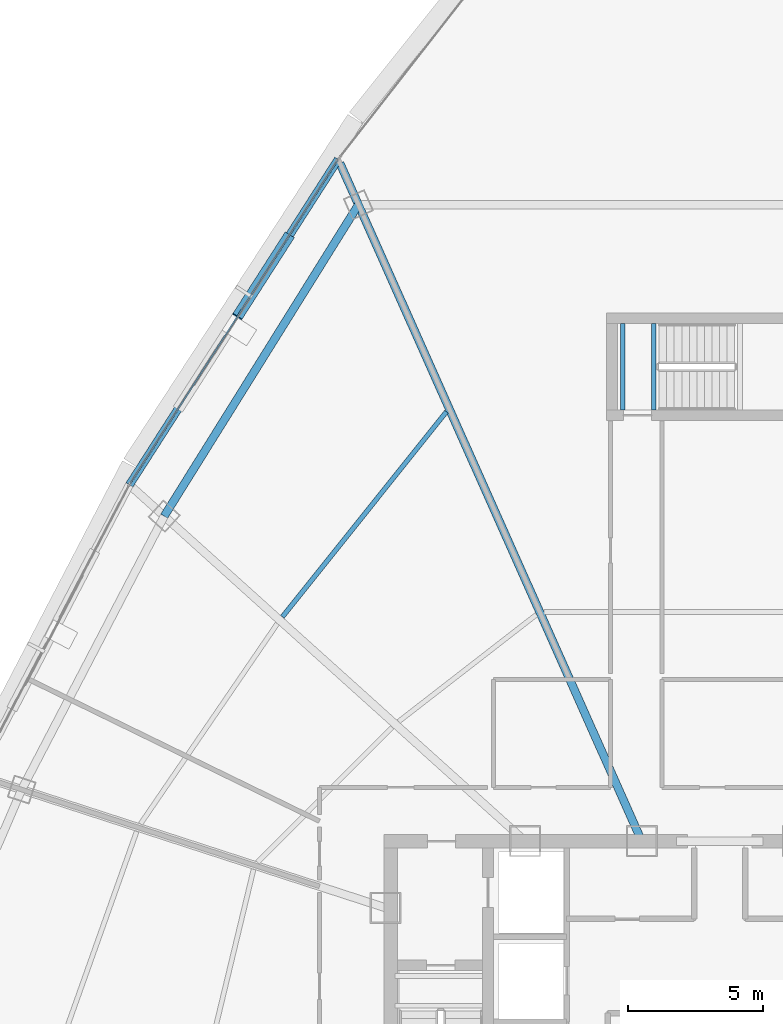
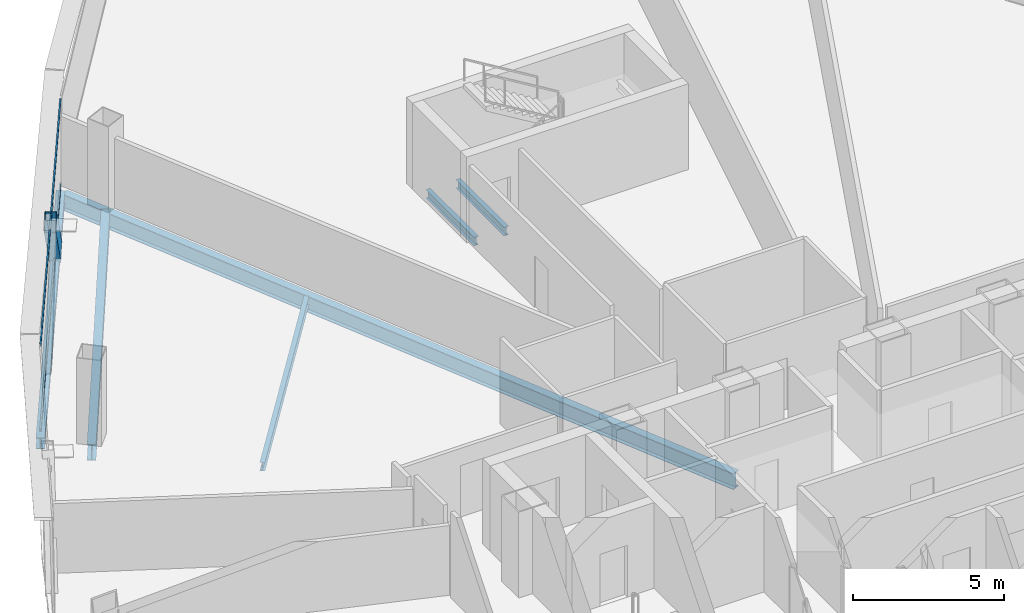
# One storey, part 18 of 37: 6 beams, 3 members, 1 element without a shape of its own.
"""IFC4 building model written with IfcOpenShell, lengths in metres."""

from ifc_helpers import new_model, si_unit, direction, frame, origin, origin_2d, place, context, subcontext, project, spatial, hollow_rectangle, i_section, extrude, source, transform, mapped, material, layer, layer_set, material_profile, profile_set, type_object, element, aggregate, save


model = new_model("IFC4")

# Units and contexts
model_context = context("Model", 3, precision=1e-05, world=origin(), true_north=direction((0.0, 1.0)))
body_context = subcontext(model_context, "Body", "Model", "MODEL_VIEW")
ifc_project = project(units=[si_unit("LENGTHUNIT", "METRE"), si_unit("AREAUNIT", "SQUARE_METRE"), si_unit("VOLUMEUNIT", "CUBIC_METRE"), si_unit("PLANEANGLEUNIT", "RADIAN"), si_unit("MASSUNIT", "GRAM", prefix="KILO"), si_unit("THERMODYNAMICTEMPERATUREUNIT", "KELVIN"), si_unit("POWERUNIT", "WATT")], contexts=[model_context])

# Site, building, storey
site_placement = place(None, origin())
site = spatial("IfcSite", under=ifc_project, at=site_placement, CompositionType="ELEMENT")
building_placement = place(site_placement, origin())
building = spatial("IfcBuilding", under=site, at=building_placement, Name="Yunzhuo Pagoda Commons", CompositionType="ELEMENT")
storey_placement = place(building_placement, frame((0.0, 0.0, 259.449951171875)))
storey = spatial("IfcBuildingStorey", under=building, at=storey_placement, Name="L65", CompositionType="ELEMENT", Elevation=259.449951171875)

# Beams
ifc_material_1 = material(Name="Structural steel Q355B", Category="steel")
ifc_material_profile_1 = material_profile(ifc_material_1, i_section(OverallWidth=0.175048828125, OverallDepth=0.35009765625, WebThickness=0.007080078125, FlangeThickness=0.010986328125, at=origin_2d()), Name="Structural steel Q355B")
ifc_profile_set_1 = profile_set([ifc_material_profile_1], Name="Structural steel Q355B")
beam_type_1 = type_object("IfcBeamType", Name="B-JS2 Joist HN 350x175x7x11", PredefinedType="JOIST", material=ifc_profile_set_1)
shared_shape_1 = source(origin(), body_context, "Body", "SweptSolid", [
    extrude(i_section(OverallWidth=0.175048828125, OverallDepth=0.35009765625, WebThickness=0.007080078125, FlangeThickness=0.010986328125, at=origin_2d()), origin(), (0.0, 0.0, 1.0), 3.199951171875),
])
for number, where, z_axis, x_axis, name in (
    (1, (44.39990234375, 56.199951171875, -0.375), (0.0, 1.0, 0.0), (-1.0, 0.0, 0.0), "L65 ST3 landing support beam 139A"),
    (2, (45.550048828125, 56.199951171875, -0.375), (0.0, 1.0, 0.0), (-1.0, 0.0, 0.0), "L65 ST3 landing support beam 139B"),
):
    element("IfcBeam", number, at=place(storey_placement, frame(where, z_axis=z_axis, x_axis=x_axis)), inside=storey, type_object=beam_type_1, Name=name, PredefinedType="JOIST", context=body_context, shape_type="MappedRepresentation", body=[
        mapped(shared_shape_1, transform((0.0, 0.0, 0.0), scale=1.0)),
    ])
ifc_material_profile_2 = material_profile(ifc_material_1, i_section(OverallWidth=0.300048828125, OverallDepth=0.64990234375, WebThickness=0.012939453125, FlangeThickness=0.02197265625, at=origin_2d()), Name="Structural steel Q355B")
ifc_profile_set_2 = profile_set([ifc_material_profile_2], Name="Structural steel Q355B")
beam_type_2 = type_object("IfcBeamType", Name="B-RG2 Beam HN 650x300x13x22", PredefinedType="BEAM", material=ifc_profile_set_2)
shared_shape_2 = source(origin(), body_context, "Body", "SweptSolid", [
    extrude(i_section(OverallWidth=0.300048828125, OverallDepth=0.64990234375, WebThickness=0.012939453125, FlangeThickness=0.02197265625, at=origin_2d()), origin(), (0.0, 0.0, 1.0), 13.615478515625),
])
beam_1_placement = place(storey_placement, frame((34.59326171875, 63.81201171875, -0.5849609375), z_axis=(-0.529178300485, -0.848510651846, 0.0), x_axis=(0.848510651846, -0.529178300485, 0.0)))
element("IfcBeam", 3, at=beam_1_placement, inside=storey, type_object=beam_type_2, Name="L65 column-ring beam 9", PredefinedType="BEAM", context=body_context, shape_type="MappedRepresentation", body=[
    mapped(shared_shape_2, transform((0.0, 0.0, 0.0), scale=1.0)),
])
shared_shape_3 = source(origin(), body_context, "Body", "SweptSolid", [
    extrude(i_section(OverallWidth=0.175048828125, OverallDepth=0.35009765625, WebThickness=0.007080078125, FlangeThickness=0.010986328125, at=origin_2d()), origin(), (0.0, 0.0, 1.0), 9.741455078125),
])
beam_2_placement = place(storey_placement, frame((37.85791015625, 56.1318359375, -0.43505859375), z_axis=(-0.624618636222, -0.780929932378, 0.0), x_axis=(0.780929932378, -0.624618636222, 0.0)))
element("IfcBeam", 4, at=beam_2_placement, inside=storey, type_object=beam_type_1, Name="L65 composite ring joist 2.9", PredefinedType="JOIST", context=body_context, shape_type="MappedRepresentation", body=[
    mapped(shared_shape_3, transform((0.0, 0.0, 0.0), scale=1.0)),
])
shared_shape_4 = source(origin(), body_context, "Body", "SweptSolid", [
    extrude(i_section(OverallWidth=0.300048828125, OverallDepth=0.64990234375, WebThickness=0.012939453125, FlangeThickness=0.02197265625, at=origin_2d()), origin(), (0.0, 0.0, 1.0), 27.535888671875),
])
beam_3_placement = place(storey_placement, frame((33.90625, 65.355224609375, -0.5849609375), z_axis=(0.406732330498, -0.913547377714, 0.0), x_axis=(0.913547377714, 0.406732330498, 0.0)))
element("IfcBeam", 5, at=beam_3_placement, inside=storey, type_object=beam_type_2, Name="L65 radial floor girder F3C1", PredefinedType="BEAM", context=body_context, shape_type="MappedRepresentation", body=[
    mapped(shared_shape_4, transform((0.0, 0.0, 0.0), scale=1.0)),
])
ifc_material_profile_3 = material_profile(ifc_material_1, i_section(OverallWidth=0.300048828125, OverallDepth=0.43994140625, WebThickness=0.010986328125, FlangeThickness=0.01806640625, at=origin_2d()), Name="Structural steel Q355B")
ifc_profile_set_3 = profile_set([ifc_material_profile_3], Name="Structural steel Q355B")
beam_type_3 = type_object("IfcBeamType", Name="B-SP2 Beam HM 440x300x11x18", PredefinedType="BEAM", material=ifc_profile_set_3)
shared_shape_5 = source(origin(), body_context, "Body", "SweptSolid", [
    extrude(i_section(OverallWidth=0.300048828125, OverallDepth=0.43994140625, WebThickness=0.010986328125, FlangeThickness=0.01806640625, at=origin_2d()), origin(), (0.0, 0.0, 1.0), 14.34619140625),
])
beam_4_placement = place(storey_placement, frame((33.84326171875, 65.49658203125, -0.47998046875), z_axis=(-0.539858467795, -0.841755804702, 0.0), x_axis=(0.841755804702, -0.539858467795, 0.0)))
element("IfcBeam", 6, at=beam_4_placement, inside=storey, type_object=beam_type_3, Name="L65 facade edge spandrel beam F3.1", PredefinedType="BEAM", context=body_context, shape_type="MappedRepresentation", body=[
    mapped(shared_shape_5, transform((0.0, 0.0, 0.0), scale=1.0)),
])

# Member
ifc_material_profile_4 = material_profile(ifc_material_1, hollow_rectangle(XDim=0.39990234375, YDim=0.719970703125, WallThickness=0.02392578125, at=origin_2d()), Name="Structural steel Q355B")
ifc_profile_set_4 = profile_set([ifc_material_profile_4], Name="Structural steel Q355B")
member_type_1 = type_object("IfcMemberType", Name="M-DL2 Brace BOX 720x400x24", PredefinedType="BRACE", material=ifc_profile_set_4)
shared_shape_6 = source(origin(), body_context, "Body", "SweptSolid", [
    extrude(hollow_rectangle(XDim=0.39990234375, YDim=0.719970703125, WallThickness=0.02392578125, at=origin_2d()), origin(), (0.0, 0.0, 1.0), 5.174560546875),
])
member_1_placement = place(storey_placement, frame((31.906982421875, 62.4775390625, -0.260009765625), z_axis=(-0.374188704594, -0.583434311059, 0.720823985473), x_axis=(0.84175303115, -0.539862792338, 0.0)))
element("IfcMember", 7, at=member_1_placement, inside=storey, type_object=member_type_1, Name="L65 facade diamond brace F3.1L", PredefinedType="BRACE", context=body_context, shape_type="MappedRepresentation", body=[
    mapped(shared_shape_6, transform((0.0, 0.0, 0.0), scale=1.0)),
])

# Curtain wall, members
ifc_material_2 = material(Name="Anodized aluminium 6063-T6", Category="aluminium")
ifc_layer = layer(ifc_material_2, 0.139892578125)
ifc_layer_set = layer_set([ifc_layer], Name="Anodized aluminium 6063-T6")
curtain_wall_type = type_object("IfcCurtainWallType", Name="CW-HI High-Zone Ribbon Curtain Wall", PredefinedType="NOTDEFINED", material=ifc_layer_set)
curtain_wall_placement = place(storey_placement, origin())
curtain_wall = element("IfcCurtainWall", 8, at=curtain_wall_placement, inside=storey, type_object=curtain_wall_type, Name="L65 curtain wall CW-L65-F3B2", PredefinedType="NOTDEFINED")
ifc_material_profile_5 = material_profile(ifc_material_2, hollow_rectangle(XDim=0.054931640625, YDim=0.1201171875, WallThickness=0.00341796875, at=origin_2d()), Name="Anodized aluminium 6063-T6")
ifc_profile_set_5 = profile_set([ifc_material_profile_5], Name="Anodized aluminium 6063-T6")
member_type_2 = type_object("IfcMemberType", Name="CW-HI-T Transom RHS 120x55x3.5", PredefinedType="USERDEFINED", material=ifc_profile_set_5)
shared_shape_7 = source(origin(), body_context, "Body", "SweptSolid", [
    extrude(hollow_rectangle(XDim=0.054931640625, YDim=0.1201171875, WallThickness=0.00341796875, at=origin_2d()), origin(), (0.0, 0.0, 1.0), 14.226318359375),
])
member_2_placement = place(storey_placement, frame((33.810791015625, 65.446044921875, 0.027587890625), z_axis=(-0.539876927328, -0.841743965431, 0.0), x_axis=(0.841743965431, -0.539876927328, 0.0)))
member_2 = element("IfcMember", 9, at=member_2_placement, type_object=member_type_2, Name="CW transom 1.1", ObjectType="TRANSOM", PredefinedType="USERDEFINED", context=body_context, shape_type="MappedRepresentation", body=[
    mapped(shared_shape_7, transform((0.0, 0.0, 0.0), scale=1.0)),
])
member_3_placement = place(storey_placement, frame((33.810791015625, 65.446044921875, 3.442626953125), z_axis=(-0.539876927328, -0.841743965431, 0.0), x_axis=(0.841743965431, -0.539876927328, 0.0)))
member_3 = element("IfcMember", 10, at=member_3_placement, type_object=member_type_2, Name="CW transom 1.2", ObjectType="TRANSOM", PredefinedType="USERDEFINED", context=body_context, shape_type="MappedRepresentation", body=[
    mapped(shared_shape_7, transform((0.0, 0.0, 0.0), scale=1.0)),
])
aggregate(curtain_wall, [member_2, member_3])

save(model, "model.ifc")
